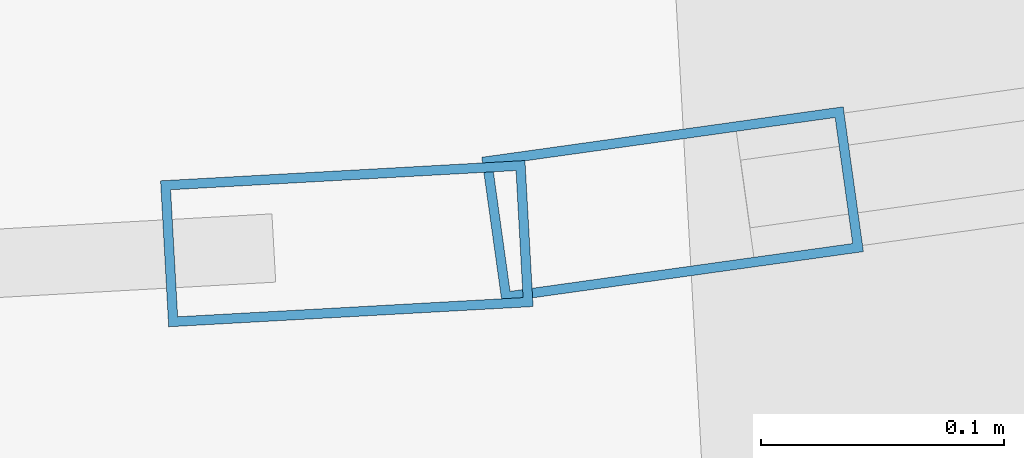
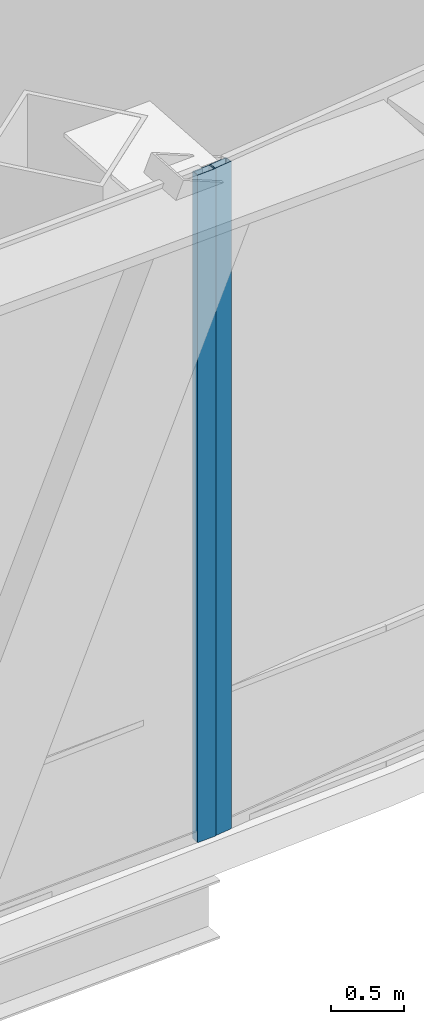
# One storey, part 14 of 38: 2 members, 2 elements without a shape of their own.
"""IFC4 building model written with IfcOpenShell, lengths in metres."""

from ifc_helpers import new_model, si_unit, direction, frame, origin, origin_2d, place, context, subcontext, project, spatial, hollow_rectangle, extrude, source, transform, mapped, material, layer, layer_set, material_profile, profile_set, type_object, element, aggregate, save


model = new_model("IFC4")

# Units and contexts
model_context = context("Model", 3, precision=1e-05, world=origin(), true_north=direction((0.0, 1.0)))
body_context = subcontext(model_context, "Body", "Model", "MODEL_VIEW")
ifc_project = project(units=[si_unit("LENGTHUNIT", "METRE"), si_unit("AREAUNIT", "SQUARE_METRE"), si_unit("VOLUMEUNIT", "CUBIC_METRE"), si_unit("PLANEANGLEUNIT", "RADIAN"), si_unit("MASSUNIT", "GRAM", prefix="KILO"), si_unit("THERMODYNAMICTEMPERATUREUNIT", "KELVIN"), si_unit("POWERUNIT", "WATT")], contexts=[model_context])

# Site, building, storey
site_placement = place(None, origin())
site = spatial("IfcSite", under=ifc_project, at=site_placement, CompositionType="ELEMENT")
building_placement = place(site_placement, origin())
building = spatial("IfcBuilding", under=site, at=building_placement, Name="Yunzhuo Pagoda Commons", CompositionType="ELEMENT")
storey_placement = place(building_placement, frame((0.0, 0.0, 218.9599609375)))
storey = spatial("IfcBuildingStorey", under=building, at=storey_placement, Name="L55", CompositionType="ELEMENT", Elevation=218.9599609375)

# Curtain wall, member
ifc_material = material(Name="Anodized aluminium 6063-T6", Category="aluminium")
ifc_layer = layer(ifc_material, 0.14990234375)
ifc_layer_set = layer_set([ifc_layer], Name="Anodized aluminium 6063-T6")
curtain_wall_type = type_object("IfcCurtainWallType", Name="CW-MID Mid-Zone Ribbon Curtain Wall", PredefinedType="NOTDEFINED", material=ifc_layer_set)
curtain_wall_1_placement = place(storey_placement, origin())
curtain_wall_1 = element("IfcCurtainWall", 1, at=curtain_wall_1_placement, inside=storey, type_object=curtain_wall_type, Name="L55 curtain wall CW-L55-F1B4", PredefinedType="NOTDEFINED")
ifc_material_profile = material_profile(ifc_material, hollow_rectangle(XDim=0.06005859375, YDim=0.14990234375, WallThickness=0.00390625, at=origin_2d()), Name="Anodized aluminium 6063-T6")
ifc_profile_set = profile_set([ifc_material_profile], Name="Anodized aluminium 6063-T6")
member_type = type_object("IfcMemberType", Name="CW-MID-M Mullion RHS 150x60x4", PredefinedType="MULLION", material=ifc_profile_set)
shared_shape = source(origin(), body_context, "Body", "SweptSolid", [
    extrude(hollow_rectangle(XDim=0.06005859375, YDim=0.14990234375, WallThickness=0.00390625, at=origin_2d()), origin(), (0.0, 0.0, 1.0), 5.570068359375),
])
member_1_placement = place(storey_placement, frame((63.106201171875, 15.659912109375, 0.0), z_axis=(0.0, 0.0, 1.0), x_axis=(-0.055422627941, 0.998462984948, 0.0)))
member_1 = element("IfcMember", 2, at=member_1_placement, type_object=member_type, Name="CW mullion 2", PredefinedType="MULLION", context=body_context, shape_type="MappedRepresentation", body=[
    mapped(shared_shape, transform((0.0, 0.0, 0.0), scale=1.0)),
])
aggregate(curtain_wall_1, [member_1])

curtain_wall_2_placement = place(storey_placement, origin())
curtain_wall_2 = element("IfcCurtainWall", 3, at=curtain_wall_2_placement, inside=storey, type_object=curtain_wall_type, Name="L55 curtain wall CW-L55-F1B5", PredefinedType="NOTDEFINED")
member_2_placement = place(storey_placement, frame((63.239990234375, 15.676025390625, 0.0), z_axis=(0.0, 0.0, 1.0), x_axis=(-0.138332060232, 0.990385905146, 0.0)))
member_2 = element("IfcMember", 4, at=member_2_placement, type_object=member_type, Name="CW mullion 1", PredefinedType="MULLION", context=body_context, shape_type="MappedRepresentation", body=[
    mapped(shared_shape, transform((0.0, 0.0, 0.0), scale=1.0)),
])
aggregate(curtain_wall_2, [member_2])

save(model, "model.ifc")
